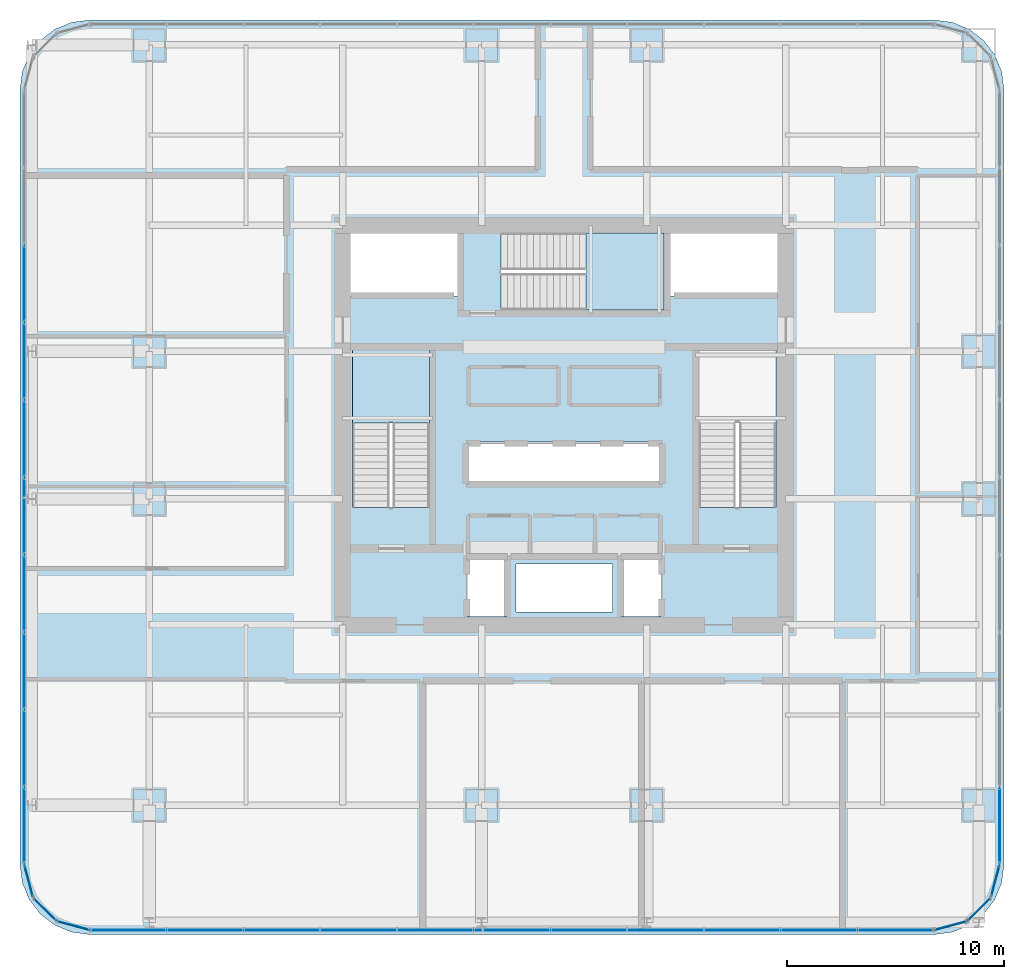
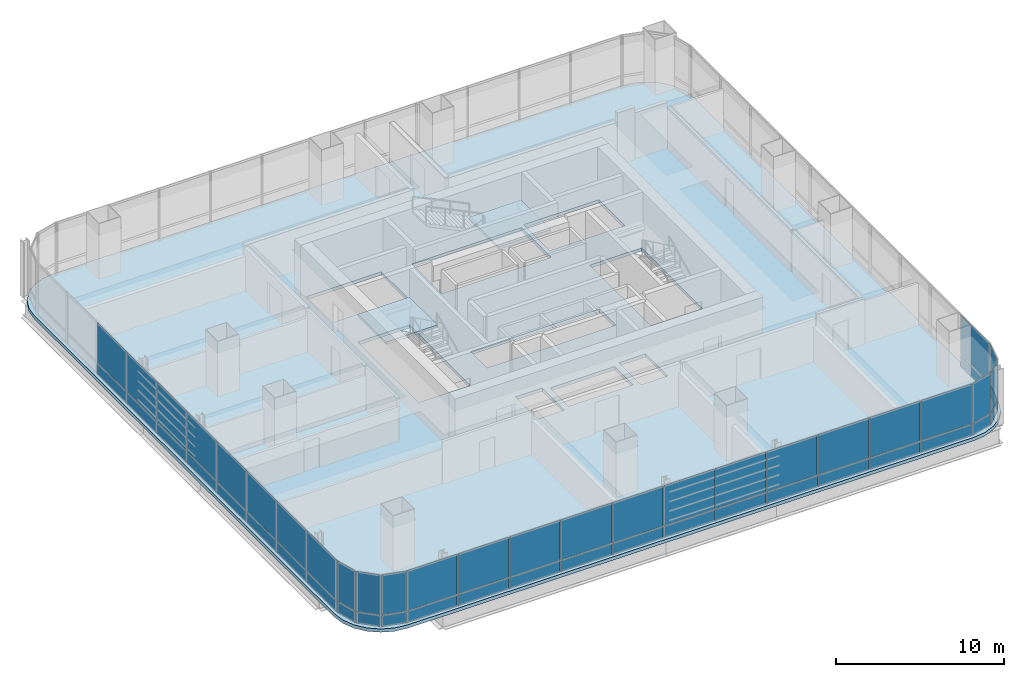
# One storey, part 26 of 36: 52 plates, 3 slabs, 11 elements without a shape of their own.
"""IFC4 building model written with IfcOpenShell, lengths in metres."""

from ifc_helpers import new_model, si_unit, direction, frame, origin, origin_2d, place, context, subcontext, project, spatial, polyline, rectangle, outline, extrude, material, layer, layer_set, type_object, element, aggregate, save


model = new_model("IFC4")

# Units and contexts
model_context = context("Model", 3, precision=1e-05, world=origin(), true_north=direction((0.0, 1.0)))
body_context = subcontext(model_context, "Body", "Model", "MODEL_VIEW")
ifc_project = project(units=[si_unit("LENGTHUNIT", "METRE"), si_unit("AREAUNIT", "SQUARE_METRE"), si_unit("VOLUMEUNIT", "CUBIC_METRE"), si_unit("PLANEANGLEUNIT", "RADIAN"), si_unit("MASSUNIT", "GRAM", prefix="KILO")], contexts=[model_context])

# Site, building, storey
site_placement = place(None, origin())
site = spatial("IfcSite", under=ifc_project, at=site_placement, CompositionType="ELEMENT")
building_placement = place(site_placement, origin())
building = spatial("IfcBuilding", under=site, at=building_placement, Name="Punatoya Terracotta Tower", CompositionType="ELEMENT")
storey_placement = place(building_placement, frame((0.0, 0.0, 48.449951171875)))
storey = spatial("IfcBuildingStorey", under=building, at=storey_placement, Name="L10", CompositionType="ELEMENT", Elevation=48.449951171875)

# Curtain wall, plates
ifc_material_1 = material(Name="Aluminium 6063-T6 + Double Low-E Glass", Category="aluminium")
curtain_wall_type = type_object("IfcCurtainWallType", Name="CW-M1", PredefinedType="NOTDEFINED", material=ifc_material_1)
curtain_wall_1_placement = place(storey_placement, origin())
curtain_wall_1 = element("IfcCurtainWall", 1, at=curtain_wall_1_placement, inside=storey, type_object=curtain_wall_type, Name="L10 Curtain Wall CW-L10-S01-1", PredefinedType="NOTDEFINED")
ifc_material_2 = material(Name="Double Low-E Clear Vision Glass", Category="glass")
ifc_layer_1 = layer(ifc_material_2, 0.028076171875)
ifc_layer_set_1 = layer_set([ifc_layer_1], Name="Double Low-E Clear Vision Glass")
plate_type_1 = type_object("IfcPlateType", Name="PLT-GLZ-28", PredefinedType="CURTAIN_PANEL", material=ifc_layer_set_1)
plate_1_placement = place(storey_placement, frame((-20.06982421875, -23.25, 0.89013671875), z_axis=(0.0, 0.0, 1.0), x_axis=(1.0, 0.0, 0.0)))
plate_1 = element("IfcPlate", 2, at=plate_1_placement, type_object=plate_type_1, Name="CW-L10-S01-1 Vision Glass Panel 1", PredefinedType="CURTAIN_PANEL", context=body_context, shape_type="SweptSolid", body=[
    extrude(rectangle(XDim=3.448974609375, YDim=0.028076171875, at=origin_2d()), origin(), (0.0, 0.0, 1.0), 2.8798828125),
])
plate_2_placement = place(storey_placement, frame((-16.535888671875, -23.25, 0.89013671875), z_axis=(0.0, 0.0, 1.0), x_axis=(1.0, 0.0, 0.0)))
plate_2 = element("IfcPlate", 3, at=plate_2_placement, type_object=plate_type_1, Name="CW-L10-S01-1 Vision Glass Panel 2", PredefinedType="CURTAIN_PANEL", context=body_context, shape_type="SweptSolid", body=[
    extrude(rectangle(XDim=3.448974609375, YDim=0.028076171875, at=origin_2d()), origin(), (0.0, 0.0, 1.0), 2.8798828125),
])
plate_3_placement = place(storey_placement, frame((-13.001953125, -23.25, 0.89013671875), z_axis=(0.0, 0.0, 1.0), x_axis=(1.0, 0.0, 0.0)))
plate_3 = element("IfcPlate", 4, at=plate_3_placement, type_object=plate_type_1, Name="CW-L10-S01-1 Vision Glass Panel 3", PredefinedType="CURTAIN_PANEL", context=body_context, shape_type="SweptSolid", body=[
    extrude(rectangle(XDim=3.448974609375, YDim=0.028076171875, at=origin_2d()), origin(), (0.0, 0.0, 1.0), 2.8798828125),
])
plate_4_placement = place(storey_placement, frame((-9.468017578125, -23.25, 0.89013671875), z_axis=(0.0, 0.0, 1.0), x_axis=(1.0, 0.0, 0.0)))
plate_4 = element("IfcPlate", 5, at=plate_4_placement, type_object=plate_type_1, Name="CW-L10-S01-1 Vision Glass Panel 4", PredefinedType="CURTAIN_PANEL", context=body_context, shape_type="SweptSolid", body=[
    extrude(rectangle(XDim=3.448974609375, YDim=0.028076171875, at=origin_2d()), origin(), (0.0, 0.0, 1.0), 2.8798828125),
])
plate_5_placement = place(storey_placement, frame((-5.93408203125, -23.25, 0.89013671875), z_axis=(0.0, 0.0, 1.0), x_axis=(1.0, 0.0, 0.0)))
plate_5 = element("IfcPlate", 6, at=plate_5_placement, type_object=plate_type_1, Name="CW-L10-S01-1 Vision Glass Panel 5", PredefinedType="CURTAIN_PANEL", context=body_context, shape_type="SweptSolid", body=[
    extrude(rectangle(XDim=3.448974609375, YDim=0.028076171875, at=origin_2d()), origin(), (0.0, 0.0, 1.0), 2.8798828125),
])
plate_6_placement = place(storey_placement, frame((-2.39990234375, -23.25, 0.89013671875), z_axis=(0.0, 0.0, 1.0), x_axis=(1.0, 0.0, 0.0)))
plate_6 = element("IfcPlate", 7, at=plate_6_placement, type_object=plate_type_1, Name="CW-L10-S01-1 Vision Glass Panel 6", PredefinedType="CURTAIN_PANEL", context=body_context, shape_type="SweptSolid", body=[
    extrude(rectangle(XDim=3.448974609375, YDim=0.028076171875, at=origin_2d()), origin(), (0.0, 0.0, 1.0), 2.8798828125),
])
plate_7_placement = place(storey_placement, frame((1.134033203125, -23.25, 0.89013671875), z_axis=(0.0, 0.0, 1.0), x_axis=(1.0, 0.0, 0.0)))
plate_7 = element("IfcPlate", 8, at=plate_7_placement, type_object=plate_type_1, Name="CW-L10-S01-1 Vision Glass Panel 7", PredefinedType="CURTAIN_PANEL", context=body_context, shape_type="SweptSolid", body=[
    extrude(rectangle(XDim=3.448974609375, YDim=0.028076171875, at=origin_2d()), origin(), (0.0, 0.0, 1.0), 2.8798828125),
])
plate_8_placement = place(storey_placement, frame((4.66796875, -23.25, 0.89013671875), z_axis=(0.0, 0.0, 1.0), x_axis=(1.0, 0.0, 0.0)))
plate_8 = element("IfcPlate", 9, at=plate_8_placement, type_object=plate_type_1, Name="CW-L10-S01-1 Vision Glass Panel 8", PredefinedType="CURTAIN_PANEL", context=body_context, shape_type="SweptSolid", body=[
    extrude(rectangle(XDim=3.448974609375, YDim=0.028076171875, at=origin_2d()), origin(), (0.0, 0.0, 1.0), 2.8798828125),
])
plate_9_placement = place(storey_placement, frame((8.201904296875, -23.25, 0.89013671875), z_axis=(0.0, 0.0, 1.0), x_axis=(1.0, 0.0, 0.0)))
plate_9 = element("IfcPlate", 10, at=plate_9_placement, type_object=plate_type_1, Name="CW-L10-S01-1 Vision Glass Panel 9", PredefinedType="CURTAIN_PANEL", context=body_context, shape_type="SweptSolid", body=[
    extrude(rectangle(XDim=3.448974609375, YDim=0.028076171875, at=origin_2d()), origin(), (0.0, 0.0, 1.0), 2.8798828125),
])
plate_10_placement = place(storey_placement, frame((11.73583984375, -23.25, 0.89013671875), z_axis=(0.0, 0.0, 1.0), x_axis=(1.0, 0.0, 0.0)))
plate_10 = element("IfcPlate", 11, at=plate_10_placement, type_object=plate_type_1, Name="CW-L10-S01-1 Vision Glass Panel 10", PredefinedType="CURTAIN_PANEL", context=body_context, shape_type="SweptSolid", body=[
    extrude(rectangle(XDim=3.448974609375, YDim=0.028076171875, at=origin_2d()), origin(), (0.0, 0.0, 1.0), 2.8798828125),
])
plate_11_placement = place(storey_placement, frame((15.27001953125, -23.25, 0.89013671875), z_axis=(0.0, 0.0, 1.0), x_axis=(1.0, 0.0, 0.0)))
plate_11 = element("IfcPlate", 12, at=plate_11_placement, type_object=plate_type_1, Name="CW-L10-S01-1 Vision Glass Panel 11", PredefinedType="CURTAIN_PANEL", context=body_context, shape_type="SweptSolid", body=[
    extrude(rectangle(XDim=3.448974609375, YDim=0.028076171875, at=origin_2d()), origin(), (0.0, 0.0, 1.0), 2.8798828125),
])

# Curtain wall, plate
curtain_wall_2_placement = place(storey_placement, origin())
curtain_wall_2 = element("IfcCurtainWall", 13, at=curtain_wall_2_placement, inside=storey, type_object=curtain_wall_type, Name="L10 Curtain Wall CW-L10-CRN02", PredefinedType="NOTDEFINED")
plate_12_placement = place(storey_placement, frame((17.79296875, -23.04833984375, 0.89013671875), z_axis=(0.0, 0.0, 1.0), x_axis=(0.966213877436, 0.257741620719, 0.0)))
plate_12 = element("IfcPlate", 14, at=plate_12_placement, type_object=plate_type_1, Name="CW-L10-CRN02 Vision Glass Panel 1", PredefinedType="CURTAIN_PANEL", context=body_context, shape_type="SweptSolid", body=[
    extrude(rectangle(XDim=1.47998046875, YDim=0.028076171875, at=origin_2d()), origin(), (0.0, 0.0, 1.0), 2.8798828125),
])

curtain_wall_3_placement = place(storey_placement, origin())
curtain_wall_3 = element("IfcCurtainWall", 15, at=curtain_wall_3_placement, inside=storey, type_object=curtain_wall_type, Name="L10 Curtain Wall CW-L10-CRN03", PredefinedType="NOTDEFINED")
plate_13_placement = place(storey_placement, frame((19.097900390625, -22.2978515625, 0.89013671875), z_axis=(0.0, 0.0, 1.0), x_axis=(0.707106781187, 0.707106781187, 0.0)))
plate_13 = element("IfcPlate", 16, at=plate_13_placement, type_object=plate_type_1, Name="CW-L10-CRN03 Vision Glass Panel 1", PredefinedType="CURTAIN_PANEL", context=body_context, shape_type="SweptSolid", body=[
    extrude(rectangle(XDim=1.467041015625, YDim=0.028076171875, at=origin_2d()), origin(), (0.0, 0.0, 1.0), 2.8798828125),
])

curtain_wall_4_placement = place(storey_placement, origin())
curtain_wall_4 = element("IfcCurtainWall", 17, at=curtain_wall_4_placement, inside=storey, type_object=curtain_wall_type, Name="L10 Curtain Wall CW-L10-CRN04", PredefinedType="NOTDEFINED")
plate_14_placement = place(storey_placement, frame((19.848388671875, -20.992919921875, 0.89013671875), z_axis=(0.0, 0.0, 1.0), x_axis=(0.257741620719, 0.966213877436, 0.0)))
plate_14 = element("IfcPlate", 18, at=plate_14_placement, type_object=plate_type_1, Name="CW-L10-CRN04 Vision Glass Panel 1", PredefinedType="CURTAIN_PANEL", context=body_context, shape_type="SweptSolid", body=[
    extrude(rectangle(XDim=1.47998046875, YDim=0.028076171875, at=origin_2d()), origin(), (0.0, 0.0, 1.0), 2.8798828125),
])

curtain_wall_5_placement = place(storey_placement, origin())
curtain_wall_5 = element("IfcCurtainWall", 19, at=curtain_wall_5_placement, inside=storey, type_object=curtain_wall_type, Name="L10 Curtain Wall CW-L10-E05-1", PredefinedType="NOTDEFINED")
plate_15_placement = place(storey_placement, frame((20.050048828125, -18.453125, 0.89013671875), z_axis=(0.0, 0.0, 1.0), x_axis=(0.0, 1.0, 0.0)))
plate_15 = element("IfcPlate", 20, at=plate_15_placement, type_object=plate_type_1, Name="CW-L10-E05-1 Vision Glass Panel 1", PredefinedType="CURTAIN_PANEL", context=body_context, shape_type="SweptSolid", body=[
    extrude(rectangle(XDim=3.482421875, YDim=0.028076171875, at=origin_2d()), origin(), (0.0, 0.0, 1.0), 2.8798828125),
])

# Curtain wall, plates
curtain_wall_6_placement = place(storey_placement, origin())
curtain_wall_6 = element("IfcCurtainWall", 21, at=curtain_wall_6_placement, inside=storey, type_object=curtain_wall_type, Name="L10 Curtain Wall CW-L10-W13-1", PredefinedType="NOTDEFINED")
plate_16_placement = place(storey_placement, frame((-24.85009765625, 6.518310546875, 0.89013671875), z_axis=(0.0, 0.0, 1.0), x_axis=(0.0, -1.0, 0.0)))
plate_16 = element("IfcPlate", 22, at=plate_16_placement, type_object=plate_type_1, Name="CW-L10-W13-1 Vision Glass Panel 3", PredefinedType="CURTAIN_PANEL", context=body_context, shape_type="SweptSolid", body=[
    extrude(rectangle(XDim=3.482421875, YDim=0.028076171875, at=origin_2d()), origin(), (0.0, 0.0, 1.0), 2.8798828125),
])
plate_17_placement = place(storey_placement, frame((-24.85009765625, 2.951171875, 0.89013671875), z_axis=(0.0, 0.0, 1.0), x_axis=(0.0, -1.0, 0.0)))
plate_17 = element("IfcPlate", 23, at=plate_17_placement, type_object=plate_type_1, Name="CW-L10-W13-1 Vision Glass Panel 4", PredefinedType="CURTAIN_PANEL", context=body_context, shape_type="SweptSolid", body=[
    extrude(rectangle(XDim=3.482421875, YDim=0.028076171875, at=origin_2d()), origin(), (0.0, 0.0, 1.0), 2.8798828125),
])
plate_18_placement = place(storey_placement, frame((-24.85009765625, -0.6162109375, 0.89013671875), z_axis=(0.0, 0.0, 1.0), x_axis=(0.0, -1.0, 0.0)))
plate_18 = element("IfcPlate", 24, at=plate_18_placement, type_object=plate_type_1, Name="CW-L10-W13-1 Vision Glass Panel 5", PredefinedType="CURTAIN_PANEL", context=body_context, shape_type="SweptSolid", body=[
    extrude(rectangle(XDim=3.482421875, YDim=0.028076171875, at=origin_2d()), origin(), (0.0, 0.0, 1.0), 2.8798828125),
])
plate_19_placement = place(storey_placement, frame((-24.85009765625, -4.18359375, 0.89013671875), z_axis=(0.0, 0.0, 1.0), x_axis=(0.0, -1.0, 0.0)))
plate_19 = element("IfcPlate", 25, at=plate_19_placement, type_object=plate_type_1, Name="CW-L10-W13-1 Vision Glass Panel 6", PredefinedType="CURTAIN_PANEL", context=body_context, shape_type="SweptSolid", body=[
    extrude(rectangle(XDim=3.482421875, YDim=0.028076171875, at=origin_2d()), origin(), (0.0, 0.0, 1.0), 2.8798828125),
])
plate_20_placement = place(storey_placement, frame((-24.85009765625, -7.751220703125, 0.89013671875), z_axis=(0.0, 0.0, 1.0), x_axis=(0.0, -1.0, 0.0)))
plate_20 = element("IfcPlate", 26, at=plate_20_placement, type_object=plate_type_1, Name="CW-L10-W13-1 Vision Glass Panel 7", PredefinedType="CURTAIN_PANEL", context=body_context, shape_type="SweptSolid", body=[
    extrude(rectangle(XDim=3.482421875, YDim=0.028076171875, at=origin_2d()), origin(), (0.0, 0.0, 1.0), 2.8798828125),
])
plate_21_placement = place(storey_placement, frame((-24.85009765625, -11.318359375, 0.89013671875), z_axis=(0.0, 0.0, 1.0), x_axis=(0.0, -1.0, 0.0)))
plate_21 = element("IfcPlate", 27, at=plate_21_placement, type_object=plate_type_1, Name="CW-L10-W13-1 Vision Glass Panel 8", PredefinedType="CURTAIN_PANEL", context=body_context, shape_type="SweptSolid", body=[
    extrude(rectangle(XDim=3.482421875, YDim=0.028076171875, at=origin_2d()), origin(), (0.0, 0.0, 1.0), 2.8798828125),
])
plate_22_placement = place(storey_placement, frame((-24.85009765625, -14.8857421875, 0.89013671875), z_axis=(0.0, 0.0, 1.0), x_axis=(0.0, -1.0, 0.0)))
plate_22 = element("IfcPlate", 28, at=plate_22_placement, type_object=plate_type_1, Name="CW-L10-W13-1 Vision Glass Panel 9", PredefinedType="CURTAIN_PANEL", context=body_context, shape_type="SweptSolid", body=[
    extrude(rectangle(XDim=3.482421875, YDim=0.028076171875, at=origin_2d()), origin(), (0.0, 0.0, 1.0), 2.8798828125),
])
plate_23_placement = place(storey_placement, frame((-24.85009765625, -18.453125, 0.89013671875), z_axis=(0.0, 0.0, 1.0), x_axis=(0.0, -1.0, 0.0)))
plate_23 = element("IfcPlate", 29, at=plate_23_placement, type_object=plate_type_1, Name="CW-L10-W13-1 Vision Glass Panel 10", PredefinedType="CURTAIN_PANEL", context=body_context, shape_type="SweptSolid", body=[
    extrude(rectangle(XDim=3.482421875, YDim=0.028076171875, at=origin_2d()), origin(), (0.0, 0.0, 1.0), 2.8798828125),
])

# Curtain wall, plate
curtain_wall_7_placement = place(storey_placement, origin())
curtain_wall_7 = element("IfcCurtainWall", 30, at=curtain_wall_7_placement, inside=storey, type_object=curtain_wall_type, Name="L10 Curtain Wall CW-L10-CRN14", PredefinedType="NOTDEFINED")
plate_24_placement = place(storey_placement, frame((-24.648193359375, -20.992919921875, 0.89013671875), z_axis=(0.0, 0.0, 1.0), x_axis=(0.257741620719, -0.966213877436, 0.0)))
plate_24 = element("IfcPlate", 31, at=plate_24_placement, type_object=plate_type_1, Name="CW-L10-CRN14 Vision Glass Panel 1", PredefinedType="CURTAIN_PANEL", context=body_context, shape_type="SweptSolid", body=[
    extrude(rectangle(XDim=1.47998046875, YDim=0.028076171875, at=origin_2d()), origin(), (0.0, 0.0, 1.0), 2.8798828125),
])

curtain_wall_8_placement = place(storey_placement, origin())
curtain_wall_8 = element("IfcCurtainWall", 32, at=curtain_wall_8_placement, inside=storey, type_object=curtain_wall_type, Name="L10 Curtain Wall CW-L10-CRN15", PredefinedType="NOTDEFINED")
plate_25_placement = place(storey_placement, frame((-23.89794921875, -22.2978515625, 0.89013671875), z_axis=(0.0, 0.0, 1.0), x_axis=(0.707106781187, -0.707106781187, 0.0)))
plate_25 = element("IfcPlate", 33, at=plate_25_placement, type_object=plate_type_1, Name="CW-L10-CRN15 Vision Glass Panel 1", PredefinedType="CURTAIN_PANEL", context=body_context, shape_type="SweptSolid", body=[
    extrude(rectangle(XDim=1.467041015625, YDim=0.028076171875, at=origin_2d()), origin(), (0.0, 0.0, 1.0), 2.8798828125),
])

curtain_wall_9_placement = place(storey_placement, origin())
curtain_wall_9 = element("IfcCurtainWall", 34, at=curtain_wall_9_placement, inside=storey, type_object=curtain_wall_type, Name="L10 Curtain Wall CW-L10-CRN16", PredefinedType="NOTDEFINED")
plate_26_placement = place(storey_placement, frame((-22.593017578125, -23.04833984375, 0.89013671875), z_axis=(0.0, 0.0, 1.0), x_axis=(0.966213877436, -0.257741620719, 0.0)))
plate_26 = element("IfcPlate", 35, at=plate_26_placement, type_object=plate_type_1, Name="CW-L10-CRN16 Vision Glass Panel 1", PredefinedType="CURTAIN_PANEL", context=body_context, shape_type="SweptSolid", body=[
    extrude(rectangle(XDim=1.47998046875, YDim=0.028076171875, at=origin_2d()), origin(), (0.0, 0.0, 1.0), 2.8798828125),
])

# Plate
ifc_material_3 = material(Name="Insulated Terracotta-Backed Spandrel Panel", Category="masonry")
ifc_layer_2 = layer(ifc_material_3, 0.044921875)
ifc_layer_set_2 = layer_set([ifc_layer_2], Name="Insulated Terracotta-Backed Spandrel Panel")
plate_type_2 = type_object("IfcPlateType", Name="PLT-SPN-45", PredefinedType="CURTAIN_PANEL", material=ifc_layer_set_2)
plate_27_placement = place(storey_placement, frame((-20.06982421875, -23.25, 0.0400390625), z_axis=(0.0, 0.0, 1.0), x_axis=(1.0, 0.0, 0.0)))
plate_27 = element("IfcPlate", 36, at=plate_27_placement, type_object=plate_type_2, Name="CW-L10-S01-1 Terracotta Spandrel Panel 1", PredefinedType="CURTAIN_PANEL", context=body_context, shape_type="SweptSolid", body=[
    extrude(rectangle(XDim=3.448974609375, YDim=0.044921875, at=origin_2d()), origin(), (0.0, 0.0, 1.0), 0.77490234375),
])

plate_28_placement = place(storey_placement, frame((-16.535888671875, -23.25, 0.0400390625), z_axis=(0.0, 0.0, 1.0), x_axis=(1.0, 0.0, 0.0)))
plate_28 = element("IfcPlate", 37, at=plate_28_placement, type_object=plate_type_2, Name="CW-L10-S01-1 Terracotta Spandrel Panel 2", PredefinedType="CURTAIN_PANEL", context=body_context, shape_type="SweptSolid", body=[
    extrude(rectangle(XDim=3.448974609375, YDim=0.044921875, at=origin_2d()), origin(), (0.0, 0.0, 1.0), 0.77490234375),
])

plate_29_placement = place(storey_placement, frame((-13.001953125, -23.25, 0.0400390625), z_axis=(0.0, 0.0, 1.0), x_axis=(1.0, 0.0, 0.0)))
plate_29 = element("IfcPlate", 38, at=plate_29_placement, type_object=plate_type_2, Name="CW-L10-S01-1 Terracotta Spandrel Panel 3", PredefinedType="CURTAIN_PANEL", context=body_context, shape_type="SweptSolid", body=[
    extrude(rectangle(XDim=3.448974609375, YDim=0.044921875, at=origin_2d()), origin(), (0.0, 0.0, 1.0), 0.77490234375),
])

plate_30_placement = place(storey_placement, frame((-9.468017578125, -23.25, 0.0400390625), z_axis=(0.0, 0.0, 1.0), x_axis=(1.0, 0.0, 0.0)))
plate_30 = element("IfcPlate", 39, at=plate_30_placement, type_object=plate_type_2, Name="CW-L10-S01-1 Terracotta Spandrel Panel 4", PredefinedType="CURTAIN_PANEL", context=body_context, shape_type="SweptSolid", body=[
    extrude(rectangle(XDim=3.448974609375, YDim=0.044921875, at=origin_2d()), origin(), (0.0, 0.0, 1.0), 0.77490234375),
])

plate_31_placement = place(storey_placement, frame((-5.93408203125, -23.25, 0.0400390625), z_axis=(0.0, 0.0, 1.0), x_axis=(1.0, 0.0, 0.0)))
plate_31 = element("IfcPlate", 40, at=plate_31_placement, type_object=plate_type_2, Name="CW-L10-S01-1 Terracotta Spandrel Panel 5", PredefinedType="CURTAIN_PANEL", context=body_context, shape_type="SweptSolid", body=[
    extrude(rectangle(XDim=3.448974609375, YDim=0.044921875, at=origin_2d()), origin(), (0.0, 0.0, 1.0), 0.77490234375),
])

plate_32_placement = place(storey_placement, frame((-2.39990234375, -23.25, 0.0400390625), z_axis=(0.0, 0.0, 1.0), x_axis=(1.0, 0.0, 0.0)))
plate_32 = element("IfcPlate", 41, at=plate_32_placement, type_object=plate_type_2, Name="CW-L10-S01-1 Terracotta Spandrel Panel 6", PredefinedType="CURTAIN_PANEL", context=body_context, shape_type="SweptSolid", body=[
    extrude(rectangle(XDim=3.448974609375, YDim=0.044921875, at=origin_2d()), origin(), (0.0, 0.0, 1.0), 0.77490234375),
])

plate_33_placement = place(storey_placement, frame((1.134033203125, -23.25, 0.0400390625), z_axis=(0.0, 0.0, 1.0), x_axis=(1.0, 0.0, 0.0)))
plate_33 = element("IfcPlate", 42, at=plate_33_placement, type_object=plate_type_2, Name="CW-L10-S01-1 Terracotta Spandrel Panel 7", PredefinedType="CURTAIN_PANEL", context=body_context, shape_type="SweptSolid", body=[
    extrude(rectangle(XDim=3.448974609375, YDim=0.044921875, at=origin_2d()), origin(), (0.0, 0.0, 1.0), 0.77490234375),
])

plate_34_placement = place(storey_placement, frame((4.66796875, -23.25, 0.0400390625), z_axis=(0.0, 0.0, 1.0), x_axis=(1.0, 0.0, 0.0)))
plate_34 = element("IfcPlate", 43, at=plate_34_placement, type_object=plate_type_2, Name="CW-L10-S01-1 Terracotta Spandrel Panel 8", PredefinedType="CURTAIN_PANEL", context=body_context, shape_type="SweptSolid", body=[
    extrude(rectangle(XDim=3.448974609375, YDim=0.044921875, at=origin_2d()), origin(), (0.0, 0.0, 1.0), 0.77490234375),
])

plate_35_placement = place(storey_placement, frame((8.201904296875, -23.25, 0.0400390625), z_axis=(0.0, 0.0, 1.0), x_axis=(1.0, 0.0, 0.0)))
plate_35 = element("IfcPlate", 44, at=plate_35_placement, type_object=plate_type_2, Name="CW-L10-S01-1 Terracotta Spandrel Panel 9", PredefinedType="CURTAIN_PANEL", context=body_context, shape_type="SweptSolid", body=[
    extrude(rectangle(XDim=3.448974609375, YDim=0.044921875, at=origin_2d()), origin(), (0.0, 0.0, 1.0), 0.77490234375),
])

plate_36_placement = place(storey_placement, frame((11.73583984375, -23.25, 0.0400390625), z_axis=(0.0, 0.0, 1.0), x_axis=(1.0, 0.0, 0.0)))
plate_36 = element("IfcPlate", 45, at=plate_36_placement, type_object=plate_type_2, Name="CW-L10-S01-1 Terracotta Spandrel Panel 10", PredefinedType="CURTAIN_PANEL", context=body_context, shape_type="SweptSolid", body=[
    extrude(rectangle(XDim=3.448974609375, YDim=0.044921875, at=origin_2d()), origin(), (0.0, 0.0, 1.0), 0.77490234375),
])

plate_37_placement = place(storey_placement, frame((15.27001953125, -23.25, 0.0400390625), z_axis=(0.0, 0.0, 1.0), x_axis=(1.0, 0.0, 0.0)))
plate_37 = element("IfcPlate", 46, at=plate_37_placement, type_object=plate_type_2, Name="CW-L10-S01-1 Terracotta Spandrel Panel 11", PredefinedType="CURTAIN_PANEL", context=body_context, shape_type="SweptSolid", body=[
    extrude(rectangle(XDim=3.448974609375, YDim=0.044921875, at=origin_2d()), origin(), (0.0, 0.0, 1.0), 0.77490234375),
])

aggregate(curtain_wall_1, [plate_27, plate_1, plate_28, plate_2, plate_29, plate_3, plate_30, plate_4, plate_31, plate_5, plate_32, plate_6, plate_33, plate_7, plate_34, plate_8, plate_35, plate_9, plate_36, plate_10, plate_37, plate_11])

plate_38_placement = place(storey_placement, frame((17.79296875, -23.04833984375, 0.0400390625), z_axis=(0.0, 0.0, 1.0), x_axis=(0.966213877436, 0.257741620719, 0.0)))
plate_38 = element("IfcPlate", 47, at=plate_38_placement, type_object=plate_type_2, Name="CW-L10-CRN02 Terracotta Spandrel Panel 1", PredefinedType="CURTAIN_PANEL", context=body_context, shape_type="SweptSolid", body=[
    extrude(rectangle(XDim=1.47998046875, YDim=0.044921875, at=origin_2d()), origin(), (0.0, 0.0, 1.0), 0.77490234375),
])

aggregate(curtain_wall_2, [plate_38, plate_12])

plate_39_placement = place(storey_placement, frame((19.097900390625, -22.2978515625, 0.0400390625), z_axis=(0.0, 0.0, 1.0), x_axis=(0.707106781187, 0.707106781187, 0.0)))
plate_39 = element("IfcPlate", 48, at=plate_39_placement, type_object=plate_type_2, Name="CW-L10-CRN03 Terracotta Spandrel Panel 1", PredefinedType="CURTAIN_PANEL", context=body_context, shape_type="SweptSolid", body=[
    extrude(rectangle(XDim=1.467041015625, YDim=0.044921875, at=origin_2d()), origin(), (0.0, 0.0, 1.0), 0.77490234375),
])

aggregate(curtain_wall_3, [plate_39, plate_13])

plate_40_placement = place(storey_placement, frame((19.848388671875, -20.992919921875, 0.0400390625), z_axis=(0.0, 0.0, 1.0), x_axis=(0.257741620719, 0.966213877436, 0.0)))
plate_40 = element("IfcPlate", 49, at=plate_40_placement, type_object=plate_type_2, Name="CW-L10-CRN04 Terracotta Spandrel Panel 1", PredefinedType="CURTAIN_PANEL", context=body_context, shape_type="SweptSolid", body=[
    extrude(rectangle(XDim=1.47998046875, YDim=0.044921875, at=origin_2d()), origin(), (0.0, 0.0, 1.0), 0.77490234375),
])

aggregate(curtain_wall_4, [plate_40, plate_14])

plate_41_placement = place(storey_placement, frame((20.050048828125, -18.453125, 0.0400390625), z_axis=(0.0, 0.0, 1.0), x_axis=(0.0, 1.0, 0.0)))
plate_41 = element("IfcPlate", 50, at=plate_41_placement, type_object=plate_type_2, Name="CW-L10-E05-1 Terracotta Spandrel Panel 1", PredefinedType="CURTAIN_PANEL", context=body_context, shape_type="SweptSolid", body=[
    extrude(rectangle(XDim=3.482421875, YDim=0.044921875, at=origin_2d()), origin(), (0.0, 0.0, 1.0), 0.77490234375),
])

aggregate(curtain_wall_5, [plate_41, plate_15])

plate_42_placement = place(storey_placement, frame((-24.85009765625, 6.518310546875, 0.0400390625), z_axis=(0.0, 0.0, 1.0), x_axis=(0.0, -1.0, 0.0)))
plate_42 = element("IfcPlate", 51, at=plate_42_placement, type_object=plate_type_2, Name="CW-L10-W13-1 Terracotta Spandrel Panel 3", PredefinedType="CURTAIN_PANEL", context=body_context, shape_type="SweptSolid", body=[
    extrude(rectangle(XDim=3.482421875, YDim=0.044921875, at=origin_2d()), origin(), (0.0, 0.0, 1.0), 0.77490234375),
])

plate_43_placement = place(storey_placement, frame((-24.85009765625, 2.951171875, 0.0400390625), z_axis=(0.0, 0.0, 1.0), x_axis=(0.0, -1.0, 0.0)))
plate_43 = element("IfcPlate", 52, at=plate_43_placement, type_object=plate_type_2, Name="CW-L10-W13-1 Terracotta Spandrel Panel 4", PredefinedType="CURTAIN_PANEL", context=body_context, shape_type="SweptSolid", body=[
    extrude(rectangle(XDim=3.482421875, YDim=0.044921875, at=origin_2d()), origin(), (0.0, 0.0, 1.0), 0.77490234375),
])

plate_44_placement = place(storey_placement, frame((-24.85009765625, -0.6162109375, 0.0400390625), z_axis=(0.0, 0.0, 1.0), x_axis=(0.0, -1.0, 0.0)))
plate_44 = element("IfcPlate", 53, at=plate_44_placement, type_object=plate_type_2, Name="CW-L10-W13-1 Terracotta Spandrel Panel 5", PredefinedType="CURTAIN_PANEL", context=body_context, shape_type="SweptSolid", body=[
    extrude(rectangle(XDim=3.482421875, YDim=0.044921875, at=origin_2d()), origin(), (0.0, 0.0, 1.0), 0.77490234375),
])

plate_45_placement = place(storey_placement, frame((-24.85009765625, -4.18359375, 0.0400390625), z_axis=(0.0, 0.0, 1.0), x_axis=(0.0, -1.0, 0.0)))
plate_45 = element("IfcPlate", 54, at=plate_45_placement, type_object=plate_type_2, Name="CW-L10-W13-1 Terracotta Spandrel Panel 6", PredefinedType="CURTAIN_PANEL", context=body_context, shape_type="SweptSolid", body=[
    extrude(rectangle(XDim=3.482421875, YDim=0.044921875, at=origin_2d()), origin(), (0.0, 0.0, 1.0), 0.77490234375),
])

plate_46_placement = place(storey_placement, frame((-24.85009765625, -7.751220703125, 0.0400390625), z_axis=(0.0, 0.0, 1.0), x_axis=(0.0, -1.0, 0.0)))
plate_46 = element("IfcPlate", 55, at=plate_46_placement, type_object=plate_type_2, Name="CW-L10-W13-1 Terracotta Spandrel Panel 7", PredefinedType="CURTAIN_PANEL", context=body_context, shape_type="SweptSolid", body=[
    extrude(rectangle(XDim=3.482421875, YDim=0.044921875, at=origin_2d()), origin(), (0.0, 0.0, 1.0), 0.77490234375),
])

plate_47_placement = place(storey_placement, frame((-24.85009765625, -11.318359375, 0.0400390625), z_axis=(0.0, 0.0, 1.0), x_axis=(0.0, -1.0, 0.0)))
plate_47 = element("IfcPlate", 56, at=plate_47_placement, type_object=plate_type_2, Name="CW-L10-W13-1 Terracotta Spandrel Panel 8", PredefinedType="CURTAIN_PANEL", context=body_context, shape_type="SweptSolid", body=[
    extrude(rectangle(XDim=3.482421875, YDim=0.044921875, at=origin_2d()), origin(), (0.0, 0.0, 1.0), 0.77490234375),
])

plate_48_placement = place(storey_placement, frame((-24.85009765625, -14.8857421875, 0.0400390625), z_axis=(0.0, 0.0, 1.0), x_axis=(0.0, -1.0, 0.0)))
plate_48 = element("IfcPlate", 57, at=plate_48_placement, type_object=plate_type_2, Name="CW-L10-W13-1 Terracotta Spandrel Panel 9", PredefinedType="CURTAIN_PANEL", context=body_context, shape_type="SweptSolid", body=[
    extrude(rectangle(XDim=3.482421875, YDim=0.044921875, at=origin_2d()), origin(), (0.0, 0.0, 1.0), 0.77490234375),
])

plate_49_placement = place(storey_placement, frame((-24.85009765625, -18.453125, 0.0400390625), z_axis=(0.0, 0.0, 1.0), x_axis=(0.0, -1.0, 0.0)))
plate_49 = element("IfcPlate", 58, at=plate_49_placement, type_object=plate_type_2, Name="CW-L10-W13-1 Terracotta Spandrel Panel 10", PredefinedType="CURTAIN_PANEL", context=body_context, shape_type="SweptSolid", body=[
    extrude(rectangle(XDim=3.482421875, YDim=0.044921875, at=origin_2d()), origin(), (0.0, 0.0, 1.0), 0.77490234375),
])

aggregate(curtain_wall_6, [plate_42, plate_16, plate_43, plate_17, plate_44, plate_18, plate_45, plate_19, plate_46, plate_20, plate_47, plate_21, plate_48, plate_22, plate_49, plate_23])

plate_50_placement = place(storey_placement, frame((-24.648193359375, -20.992919921875, 0.0400390625), z_axis=(0.0, 0.0, 1.0), x_axis=(0.257741620719, -0.966213877436, 0.0)))
plate_50 = element("IfcPlate", 59, at=plate_50_placement, type_object=plate_type_2, Name="CW-L10-CRN14 Terracotta Spandrel Panel 1", PredefinedType="CURTAIN_PANEL", context=body_context, shape_type="SweptSolid", body=[
    extrude(rectangle(XDim=1.47998046875, YDim=0.044921875, at=origin_2d()), origin(), (0.0, 0.0, 1.0), 0.77490234375),
])

aggregate(curtain_wall_7, [plate_50, plate_24])

plate_51_placement = place(storey_placement, frame((-23.89794921875, -22.2978515625, 0.0400390625), z_axis=(0.0, 0.0, 1.0), x_axis=(0.707106781187, -0.707106781187, 0.0)))
plate_51 = element("IfcPlate", 60, at=plate_51_placement, type_object=plate_type_2, Name="CW-L10-CRN15 Terracotta Spandrel Panel 1", PredefinedType="CURTAIN_PANEL", context=body_context, shape_type="SweptSolid", body=[
    extrude(rectangle(XDim=1.467041015625, YDim=0.044921875, at=origin_2d()), origin(), (0.0, 0.0, 1.0), 0.77490234375),
])

aggregate(curtain_wall_8, [plate_51, plate_25])

plate_52_placement = place(storey_placement, frame((-22.593017578125, -23.04833984375, 0.0400390625), z_axis=(0.0, 0.0, 1.0), x_axis=(0.966213877436, -0.257741620719, 0.0)))
plate_52 = element("IfcPlate", 61, at=plate_52_placement, type_object=plate_type_2, Name="CW-L10-CRN16 Terracotta Spandrel Panel 1", PredefinedType="CURTAIN_PANEL", context=body_context, shape_type="SweptSolid", body=[
    extrude(rectangle(XDim=1.47998046875, YDim=0.044921875, at=origin_2d()), origin(), (0.0, 0.0, 1.0), 0.77490234375),
])

aggregate(curtain_wall_9, [plate_52, plate_26])

# Stair, slab
ifc_material_4 = material(Name="Concrete C40/50", Category="concrete")
stair_type_1 = type_object("IfcStairType", Name="STR-TER-1450", PredefinedType="HALF_TURN_STAIR", material=ifc_material_4)
stair_1_placement = place(storey_placement, origin())
stair_1 = element("IfcStair", 62, at=stair_1_placement, inside=storey, type_object=stair_type_1, Name="L10 Protected Core Exit Stair ST-3", PredefinedType="HALF_TURN_STAIR")
ifc_layer_3 = layer(ifc_material_4, 0.1650390625)
ifc_layer_set_3 = layer_set([ifc_layer_3], Name="Concrete C40/50")
slab_type_1 = type_object("IfcSlabType", Name="SLB-LND-165", PredefinedType="LANDING", material=ifc_layer_set_3)
slab_1_placement = place(storey_placement, frame((0.0, 0.0, 1.824951171875)))
slab_1 = element("IfcSlab", 63, at=slab_1_placement, type_object=slab_type_1, Name="ST-3 landing 1", PredefinedType="LANDING", context=body_context, shape_type="SweptSolid", body=[
    extrude(outline(polyline([(1.0, 5.300048828125), (4.60009765625, 5.300048828125), (4.60009765625, 8.85009765625), (1.0, 8.85009765625), (1.0, 5.300048828125)])), origin(), (0.0, 0.0, 1.0), 0.2001953125),
])
aggregate(stair_1, [slab_1])

stair_type_2 = type_object("IfcStairType", Name="STR-CORE-1550", PredefinedType="HALF_TURN_STAIR", material=ifc_material_4)
stair_2_placement = place(storey_placement, origin())
stair_2 = element("IfcStair", 64, at=stair_2_placement, inside=storey, type_object=stair_type_2, Name="L10 Protected Core Exit Stair ST-1", PredefinedType="HALF_TURN_STAIR")
ifc_layer_4 = layer(ifc_material_4, 0.179931640625)
ifc_layer_set_4 = layer_set([ifc_layer_4], Name="Concrete C40/50")
slab_type_2 = type_object("IfcSlabType", Name="SLB-LND-180", PredefinedType="LANDING", material=ifc_layer_set_4)
slab_2_placement = place(storey_placement, frame((0.0, 0.0, 1.824951171875)))
slab_2 = element("IfcSlab", 65, at=slab_2_placement, type_object=slab_type_2, Name="ST-1 landing 1", PredefinedType="LANDING", context=body_context, shape_type="SweptSolid", body=[
    extrude(outline(polyline([(-6.199951171875, 0.10009765625), (-6.199951171875, 3.449951171875), (-9.75, 3.449951171875), (-9.75, 0.10009765625), (-6.199951171875, 0.10009765625)])), origin(), (0.0, 0.0, 1.0), 0.2001953125),
])
aggregate(stair_2, [slab_2])

# Slab
ifc_layer_5 = layer(ifc_material_4, 0.239990234375)
ifc_layer_set_5 = layer_set([ifc_layer_5], Name="Concrete C40/50")
slab_type_3 = type_object("IfcSlabType", Name="SLB-OFF-240", PredefinedType="FLOOR", material=ifc_layer_set_5)
slab_3_placement = place(storey_placement, frame((0.0, 0.0, -0.239990234375)))
element("IfcSlab", 66, at=slab_3_placement, inside=storey, type_object=slab_type_3, Name="L10 Structural Floor Slab", PredefinedType="FLOOR", context=body_context, shape_type="SweptSolid", body=[
    extrude(outline(polyline([(-21.85009765625, -23.449951171875), (-22.67822265625, -23.341064453125), (-23.449951171875, -23.021240234375), (-24.11279296875, -22.5126953125), (-24.621337890625, -21.85009765625), (-24.94091796875, -21.078125), (-25.050048828125, -20.25), (-25.050048828125, 15.449951171875), (-24.94091796875, 16.2783203125), (-24.621337890625, 17.050048828125), (-24.11279296875, 17.712646484375), (-23.449951171875, 18.22119140625), (-22.67822265625, 18.541015625), (-21.85009765625, 18.64990234375), (17.050048828125, 18.64990234375), (17.878173828125, 18.541015625), (18.64990234375, 18.22119140625), (19.312744140625, 17.712646484375), (19.8212890625, 17.050048828125), (20.14111328125, 16.2783203125), (20.25, 15.449951171875), (20.25, -20.25), (20.14111328125, -21.078125), (19.8212890625, -21.85009765625), (19.312744140625, -22.5126953125), (18.64990234375, -23.021240234375), (17.878173828125, -23.341064453125), (17.050048828125, -23.449951171875), (-21.85009765625, -23.449951171875)]), holes=[polyline([(-2.6298828125, -6.179931640625), (-4.469970703125, -6.179931640625), (-4.469970703125, -8.820068359375), (-2.6298828125, -8.820068359375), (-2.6298828125, -6.179931640625)]), polyline([(0.02001953125, -8.594970703125), (2.219970703125, -8.594970703125), (2.219970703125, -6.405029296875), (0.02001953125, -6.405029296875), (-0.02001953125, -6.405029296875), (-2.219970703125, -6.405029296875), (-2.219970703125, -8.594970703125), (-0.02001953125, -8.594970703125), (0.02001953125, -8.594970703125)]), polyline([(-2.219970703125, -2.719970703125), (-2.179931640625, -2.719970703125), (-0.02001953125, -2.719970703125), (0.02001953125, -2.719970703125), (2.179931640625, -2.719970703125), (2.219970703125, -2.719970703125), (4.419921875, -2.719970703125), (4.419921875, -0.780029296875), (2.219970703125, -0.780029296875), (2.179931640625, -0.780029296875), (0.02001953125, -0.780029296875), (-0.02001953125, -0.780029296875), (-2.179931640625, -0.780029296875), (-2.219970703125, -0.780029296875), (-4.419921875, -0.780029296875), (-4.419921875, -2.719970703125), (-2.219970703125, -2.719970703125)]), polyline([(-6.199951171875, 3.449951171875), (-9.75, 3.449951171875), (-9.75, -3.79931640625), (-6.199951171875, -3.79931640625), (-6.199951171875, 3.449951171875)]), polyline([(4.60009765625, 5.300048828125), (4.60009765625, 8.85009765625), (-2.899169921875, 8.85009765625), (-2.899169921875, 5.300048828125), (4.60009765625, 5.300048828125)]), polyline([(-4.89990234375, 9.050048828125), (-10.050048828125, 9.050048828125), (-10.050048828125, 5.949951171875), (-4.89990234375, 5.949951171875), (-4.89990234375, 9.050048828125)]), polyline([(4.469970703125, -8.820068359375), (4.469970703125, -6.179931640625), (2.6298828125, -6.179931640625), (2.6298828125, -8.820068359375), (4.469970703125, -8.820068359375)]), polyline([(9.75, 3.449951171875), (6.199951171875, 3.449951171875), (6.199951171875, -3.79931640625), (9.75, -3.79931640625), (9.75, 3.449951171875)]), polyline([(10.050048828125, 5.949951171875), (10.050048828125, 9.050048828125), (4.89990234375, 9.050048828125), (4.89990234375, 5.949951171875), (10.050048828125, 5.949951171875)])]), origin(), (0.0, 0.0, 1.0), 0.239990234375),
])

save(model, "model.ifc")
